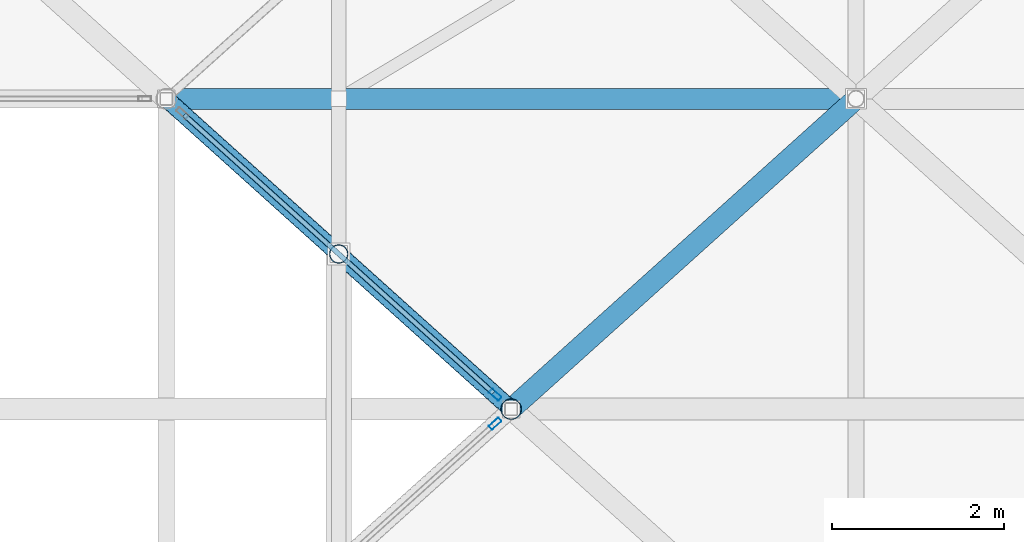
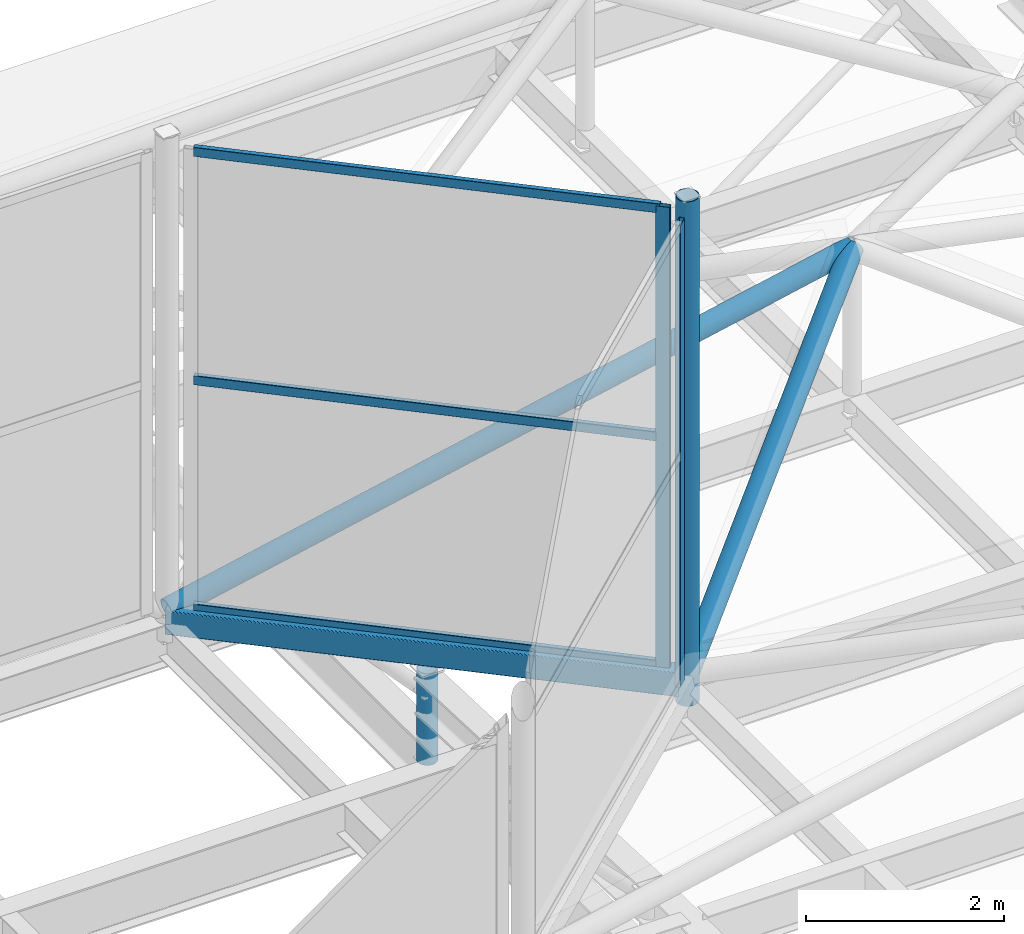
# One storey, part 127 of 239: 9 members, 1 beam, 2 elements without a shape of their own.
"""IFC4 building model written with IfcOpenShell, lengths in metres."""

import ifcopenshell
import ifcopenshell.guid

model = None  # the IFC model being written
_history = None  # IfcOwnerHistory: only IFC2X3 demands one
_inside = {}  # id of a spatial element -> (the spatial element, [elements in it])
_under = {}  # id of a project, library or spatial element -> (it, [spatial elements below it])
_declared = {}  # id of a project -> (the project, [libraries it declares])
_typed = {}  # id of a type object -> (the type object, [elements of that type])
_made_of = {}  # id of a material, layer set ... -> (it, [elements and type objects made of it])


def new_model(schema):
    """Start an empty IFC model of exactly this schema.

    Asked for "IFC4X3", IfcOpenShell would pick the latest addendum, in which some entities
    have other attributes; the version numbers below select the first issue.
    IFC2X3 requires an IfcOwnerHistory on every rooted entity: one is made here for all.
    """
    global model, _history
    if schema == "IFC4X3":
        model = ifcopenshell.file(schema_version=(4, 3, 0, 0))
    else:
        model = ifcopenshell.file(schema=schema)
    _inside.clear()
    _under.clear()
    _declared.clear()
    _typed.clear()
    _made_of.clear()
    _history = None
    if model.schema == "IFC2X3":
        org = make("IfcOrganization", Name="unknown")
        user = make(
            "IfcPersonAndOrganization",
            ThePerson=make("IfcPerson", FamilyName="unknown"),
            TheOrganization=org,
        )
        app = make(
            "IfcApplication",
            ApplicationDeveloper=org,
            Version="unknown",
            ApplicationFullName="unknown",
            ApplicationIdentifier="unknown",
        )
        _history = make(
            "IfcOwnerHistory",
            OwningUser=user,
            OwningApplication=app,
            ChangeAction="ADDED",
            CreationDate=0,
        )
    return model


def make(cls, **values):
    """One entity of the class cls with the attributes given. An attribute that is None is left unset."""
    return model.create_entity(
        cls, **{name: value for name, value in values.items() if value is not None}
    )


def rooted(cls, **values):
    """An entity with a GlobalId (a new one), such as an element, a storey or a relation."""
    return make(cls, GlobalId=ifcopenshell.guid.new(), OwnerHistory=_history, **values)


def si_unit(unit_type, name, prefix=None):
    """IfcSIUnit, for example si_unit("LENGTHUNIT", "METRE", prefix="MILLI")."""
    return make("IfcSIUnit", UnitType=unit_type, Prefix=prefix, Name=name)


def assignment(units):
    """IfcUnitAssignment: the units of a project."""
    return None if units is None else make("IfcUnitAssignment", Units=units)


def point(xyz):
    """IfcCartesianPoint."""
    return None if xyz is None else make("IfcCartesianPoint", Coordinates=xyz)


def direction(xyz):
    """IfcDirection."""
    return None if xyz is None else make("IfcDirection", DirectionRatios=xyz)


def frame(location, z_axis=None, x_axis=None):
    """IfcAxis2Placement3D, a coordinate frame: its origin and axes. An axis left out is left unset."""
    return make(
        "IfcAxis2Placement3D",
        Location=point(location),
        Axis=direction(z_axis),
        RefDirection=direction(x_axis),
    )


def frame_2d(location, x_axis=None):
    """IfcAxis2Placement2D, a coordinate frame in the plane: its origin and x axis."""
    return make(
        "IfcAxis2Placement2D", Location=point(location), RefDirection=direction(x_axis)
    )


def origin():
    """The frame at (0, 0, 0) with its axes left unset."""
    return frame((0.0, 0.0, 0.0))


def origin_2d():
    """The frame at (0, 0) in the plane with its x axis left unset."""
    return frame_2d((0.0, 0.0))


def place(relative_to, where):
    """IfcLocalPlacement: puts the frame where relative to a parent placement (None: the world)."""
    return make(
        "IfcLocalPlacement", PlacementRelTo=relative_to, RelativePlacement=where
    )


def context(
    kind, dimensions, precision=None, world=None, true_north=None, identifier=None
):
    """IfcGeometricRepresentationContext, for example the 3D "Model" context."""
    return make(
        "IfcGeometricRepresentationContext",
        ContextIdentifier=identifier,
        ContextType=kind,
        CoordinateSpaceDimension=dimensions,
        Precision=precision,
        WorldCoordinateSystem=world,
        TrueNorth=true_north,
    )


def subcontext(parent, identifier, kind, view, scale=None):
    """IfcGeometricRepresentationSubContext, for example "Body" below "Model"."""
    return make(
        "IfcGeometricRepresentationSubContext",
        ContextIdentifier=identifier,
        ContextType=kind,
        ParentContext=parent,
        TargetScale=scale,
        TargetView=view,
    )


def project(units=None, contexts=None):
    """IfcProject with its units and contexts."""
    return rooted(
        "IfcProject",
        Name="project",
        RepresentationContexts=contexts,
        UnitsInContext=assignment(units),
    )


def spatial(cls, under=None, at=None, **own):
    """A site, building, storey or space (cls), placed at a placement, below another one or the project."""
    s = rooted(cls, ObjectPlacement=at, **own)
    if under is not None:
        _under.setdefault(under.id(), (under, []))[1].append(s)
    return s


def profile(cls, at=None, kind="AREA", **sizes):
    """A parametric profile (cls). Its sizes go by their IFC names, for example OverallWidth=200.0."""
    return make(cls, ProfileType=kind, Position=at, **sizes)


def hollow_rectangle(**sizes):
    """IfcRectangleHollowProfileDef."""
    return profile("IfcRectangleHollowProfileDef", **sizes)


def hollow_circle(**sizes):
    """IfcCircleHollowProfileDef."""
    return profile("IfcCircleHollowProfileDef", **sizes)


def extrude(swept, where, along, depth):
    """IfcExtrudedAreaSolid: the profile swept, set in the frame where, extruded along a direction by depth."""
    return make(
        "IfcExtrudedAreaSolid",
        SweptArea=swept,
        Position=where,
        ExtrudedDirection=direction(along),
        Depth=depth,
    )


def shape(context_of_items, identifier, shape_type, items):
    """IfcShapeRepresentation: the items that make up one representation, for example the "Body"."""
    return make(
        "IfcShapeRepresentation",
        ContextOfItems=context_of_items,
        RepresentationIdentifier=identifier,
        RepresentationType=shape_type,
        Items=items,
    )


def material(Name=None, Category=None):
    """IfcMaterial."""
    return make("IfcMaterial", Name=Name, Category=Category)


def layer(
    of_material, thickness, ventilated=None, Name=None, Category=None, Priority=None
):
    """IfcMaterialLayer: one layer of a wall or slab, of a material (None: an air gap)."""
    return make(
        "IfcMaterialLayer",
        Material=of_material,
        LayerThickness=thickness,
        IsVentilated=ventilated,
        Name=Name,
        Category=Category,
        Priority=Priority,
    )


def layer_set(layers, Name=None):
    """IfcMaterialLayerSet."""
    return make("IfcMaterialLayerSet", MaterialLayers=layers, LayerSetName=Name)


def material_profile(
    of_material, cross_section, Name=None, Category=None, Priority=None
):
    """IfcMaterialProfile: a cross section and its material."""
    return make(
        "IfcMaterialProfile",
        Name=Name,
        Material=of_material,
        Profile=cross_section,
        Priority=Priority,
        Category=Category,
    )


def profile_set(profiles, Name=None, composite=None):
    """IfcMaterialProfileSet."""
    return make(
        "IfcMaterialProfileSet",
        Name=Name,
        MaterialProfiles=profiles,
        CompositeProfile=composite,
    )


def made_of(thing, what):
    """Note that an element or type object is made of a material, layer set ...; save() writes the relation."""
    if what is not None:
        _made_of.setdefault(what.id(), (what, []))[1].append(thing)
    return thing


def type_object(cls, material=None, **own):
    """A type object (cls), such as IfcWallType, which elements share."""
    return made_of(rooted(cls, **own), material)


def element(
    cls,
    number,
    at=None,
    inside=None,
    cuts=None,
    type_object=None,
    material=None,
    context=None,
    identifier="Body",
    shape_type=None,
    held_by="IfcProductDefinitionShape",
    body=None,
    shapes=None,
    **own,
):
    """One element of the class cls, such as IfcWall. Its Tag is "e" and its number.

    at: its placement. inside: the storey or other place that contains it. cuts: it is an
    opening in that element (IfcRelVoidsElement). A single representation is given by context,
    identifier, shape_type and body (its items); several are given by shapes. held_by: the class
    of the entity that holds the representations. save() writes the other relations.
    """
    e = rooted(cls, Tag="e%d" % number, ObjectPlacement=at, **own)
    if body is not None:
        shapes = [shape(context, identifier, shape_type, body)]
    if shapes is not None:
        e.Representation = make(held_by, Representations=shapes)
    if inside is not None:
        _inside.setdefault(inside.id(), (inside, []))[1].append(e)
    if cuts is not None:
        rooted(
            "IfcRelVoidsElement", RelatingBuildingElement=cuts, RelatedOpeningElement=e
        )
    if type_object is not None:
        _typed.setdefault(type_object.id(), (type_object, []))[1].append(e)
    return made_of(e, material)


def aggregate(whole, parts):
    """IfcRelAggregates: a whole, such as a stair, and the parts it consists of."""
    return rooted("IfcRelAggregates", RelatingObject=whole, RelatedObjects=parts)


def save(model, path):
    """Write the relations noted so far, then the file.

    IfcRelAggregates (storeys below a building ...), IfcRelContainedInSpatialStructure (elements
    in a storey), IfcRelDefinesByType, IfcRelAssociatesMaterial and IfcRelDeclares: one each for
    every whole, place, type object, material and project.
    """
    for whole, parts in _under.values():
        aggregate(whole, parts)
    for where, things in _inside.values():
        rooted(
            "IfcRelContainedInSpatialStructure",
            RelatedElements=things,
            RelatingStructure=where,
        )
    for kind, things in _typed.values():
        rooted("IfcRelDefinesByType", RelatedObjects=things, RelatingType=kind)
    for what, things in _made_of.values():
        rooted("IfcRelAssociatesMaterial", RelatedObjects=things, RelatingMaterial=what)
    for by, libraries in _declared.values():
        rooted("IfcRelDeclares", RelatingContext=by, RelatedDefinitions=libraries)
    model.write(path)


model = new_model("IFC4")

# Units and contexts
model_context = context("Model", 3, precision=1e-05, world=origin(), true_north=direction((0.0, 1.0)))
body_context = subcontext(model_context, "Body", "Model", "MODEL_VIEW")
ifc_project = project(units=[si_unit("LENGTHUNIT", "METRE"), si_unit("AREAUNIT", "SQUARE_METRE"), si_unit("VOLUMEUNIT", "CUBIC_METRE"), si_unit("PLANEANGLEUNIT", "RADIAN"), si_unit("MASSUNIT", "GRAM", prefix="KILO")], contexts=[model_context])

# Site, building, storey
site_placement = place(None, origin())
site = spatial("IfcSite", under=ifc_project, at=site_placement, CompositionType="ELEMENT")
building_placement = place(site_placement, origin())
building = spatial("IfcBuilding", under=site, at=building_placement, Name="Dunvalen Ferry Terminal", CompositionType="ELEMENT")
storey_placement = place(building_placement, frame((0.0, 0.0, 9.840087890625)))
storey = spatial("IfcBuildingStorey", under=building, at=storey_placement, Name="L02", CompositionType="ELEMENT", Elevation=9.840087890625)

# Curtain wall, member
ifc_material_1 = material(Name="Anodised marine aluminium and solar-control glazing", Category="aluminium")
ifc_layer_1 = layer(ifc_material_1, 0.179931640625, Name="Anodised marine aluminium and solar-control glazing")
ifc_layer_set_1 = layer_set([ifc_layer_1], Name="Anodised marine aluminium and solar-control glazing")
curtain_wall_type_1 = type_object("IfcCurtainWallType", Name="ENV-CW-SYS-05", PredefinedType="NOTDEFINED", material=ifc_layer_set_1)
curtain_wall_1_placement = place(storey_placement, origin())
curtain_wall_1 = element("IfcCurtainWall", 1, at=curtain_wall_1_placement, inside=storey, type_object=curtain_wall_type_1, Name="L02 Curtain Wall CW-HEX-32-SK-3", PredefinedType="NOTDEFINED")
ifc_material_2 = material(Name="Anodised marine aluminium EN AW-6063 T6", Category="aluminium")
ifc_material_profile_1 = material_profile(ifc_material_2, hollow_rectangle(XDim=0.06005859375, YDim=0.14990234375, WallThickness=0.00341796875, InnerFilletRadius=0.00341796875, OuterFilletRadius=0.007080078125, at=origin_2d()), Name="Anodised marine aluminium EN AW-6063 T6")
ifc_profile_set_1 = profile_set([ifc_material_profile_1], Name="Anodised marine aluminium EN AW-6063 T6")
member_type_1 = type_object("IfcMemberType", Name="ENV-CW-MUL-3", PredefinedType="MULLION", material=ifc_profile_set_1)
member_1_placement = place(storey_placement, frame((73.814208984375, 75.4326171875, 1.139892578125), z_axis=(0.0, 0.0, 1.0), x_axis=(-0.668953550894, 0.74330420875, 0.0)))
member_1 = element("IfcMember", 2, at=member_1_placement, type_object=member_type_1, Name="CW-05 mullion 2", PredefinedType="MULLION", context=body_context, shape_type="SweptSolid", body=[
    extrude(hollow_rectangle(XDim=0.06005859375, YDim=0.14990234375, WallThickness=0.00341796875, InnerFilletRadius=0.00341796875, OuterFilletRadius=0.007080078125, at=origin_2d()), origin(), (0.0, 0.0, 1.0), 5.699951171875),
])
aggregate(curtain_wall_1, [member_1])

# Curtain wall, members
ifc_layer_2 = layer(ifc_material_1, 0.179931640625, Name="Anodised marine aluminium and solar-control glazing")
ifc_layer_set_2 = layer_set([ifc_layer_2], Name="Anodised marine aluminium and solar-control glazing")
curtain_wall_type_2 = type_object("IfcCurtainWallType", Name="ENV-CW-SYS-06", PredefinedType="NOTDEFINED", material=ifc_layer_set_2)
curtain_wall_2_placement = place(storey_placement, origin())
curtain_wall_2 = element("IfcCurtainWall", 3, at=curtain_wall_2_placement, inside=storey, type_object=curtain_wall_type_2, Name="L02 Curtain Wall CW-HEX-32-SK-4", PredefinedType="NOTDEFINED")
member_2_placement = place(storey_placement, frame((73.814208984375, 75.767333984375, 1.139892578125), z_axis=(0.0, 0.0, 1.0), x_axis=(-0.668953550894, -0.74330420875, 0.0)))
member_2 = element("IfcMember", 4, at=member_2_placement, type_object=member_type_1, Name="CW-06 mullion 1", PredefinedType="MULLION", context=body_context, shape_type="SweptSolid", body=[
    extrude(hollow_rectangle(XDim=0.06005859375, YDim=0.14990234375, WallThickness=0.00341796875, InnerFilletRadius=0.00341796875, OuterFilletRadius=0.007080078125, at=origin_2d()), origin(), (0.0, 0.0, 1.0), 5.699951171875),
])
ifc_material_profile_2 = material_profile(ifc_material_2, hollow_rectangle(XDim=0.06005859375, YDim=0.114990234375, WallThickness=0.0029296875, InnerFilletRadius=0.0029296875, OuterFilletRadius=0.006103515625, at=origin_2d()), Name="Anodised marine aluminium EN AW-6063 T6")
ifc_profile_set_2 = profile_set([ifc_material_profile_2], Name="Anodised marine aluminium EN AW-6063 T6")
member_type_2 = type_object("IfcMemberType", Name="ENV-CW-TRN-3", PredefinedType="USERDEFINED", material=ifc_profile_set_2)
member_3_placement = place(storey_placement, frame((73.7919921875, 75.787353515625, 1.169921875), z_axis=(-0.743319323261, 0.668936756104, 0.0), x_axis=(-0.668936756104, -0.743319323261, 0.0)))
member_3 = element("IfcMember", 5, at=member_3_placement, type_object=member_type_2, Name="CW-06 transom 1.1", ObjectType="TRANSOM", PredefinedType="USERDEFINED", context=body_context, shape_type="SweptSolid", body=[
    extrude(hollow_rectangle(XDim=0.06005859375, YDim=0.114990234375, WallThickness=0.0029296875, InnerFilletRadius=0.0029296875, OuterFilletRadius=0.006103515625, at=origin_2d()), origin(), (0.0, 0.0, 1.0), 4.821533203125),
])
member_4_placement = place(storey_placement, frame((73.7919921875, 75.787353515625, 3.989990234375), z_axis=(-0.743319323261, 0.668936756104, 0.0), x_axis=(-0.668936756104, -0.743319323261, 0.0)))
member_4 = element("IfcMember", 6, at=member_4_placement, type_object=member_type_2, Name="CW-06 transom 1.2", ObjectType="TRANSOM", PredefinedType="USERDEFINED", context=body_context, shape_type="SweptSolid", body=[
    extrude(hollow_rectangle(XDim=0.06005859375, YDim=0.114990234375, WallThickness=0.0029296875, InnerFilletRadius=0.0029296875, OuterFilletRadius=0.006103515625, at=origin_2d()), origin(), (0.0, 0.0, 1.0), 4.821533203125),
])
member_5_placement = place(storey_placement, frame((73.7919921875, 75.787353515625, 6.809814453125), z_axis=(-0.743319323261, 0.668936756104, 0.0), x_axis=(-0.668936756104, -0.743319323261, 0.0)))
member_5 = element("IfcMember", 7, at=member_5_placement, type_object=member_type_2, Name="CW-06 transom 1.3", ObjectType="TRANSOM", PredefinedType="USERDEFINED", context=body_context, shape_type="SweptSolid", body=[
    extrude(hollow_rectangle(XDim=0.06005859375, YDim=0.114990234375, WallThickness=0.0029296875, InnerFilletRadius=0.0029296875, OuterFilletRadius=0.006103515625, at=origin_2d()), origin(), (0.0, 0.0, 1.0), 4.821533203125),
])
aggregate(curtain_wall_2, [member_2, member_3, member_4, member_5])

# Beam
ifc_material_3 = material(Name="Steel S355", Category="steel")
ifc_material_profile_3 = material_profile(ifc_material_3, hollow_rectangle(XDim=0.199951171875, YDim=0.300048828125, WallThickness=0.010009765625, InnerFilletRadius=0.010009765625, OuterFilletRadius=0.02001953125, at=origin_2d()), Name="Steel S355")
ifc_profile_set_3 = profile_set([ifc_material_profile_3], Name="Steel S355")
beam_type = type_object("IfcBeamType", Name="STR-BM-RHS300", PredefinedType="BEAM", material=ifc_profile_set_3)
beam_placement = place(storey_placement, frame((74.0, 75.60009765625, 1.0), z_axis=(-0.74330768127, 0.668949692402, 0.0), x_axis=(-0.668949692402, -0.74330768127, 0.0)))
element("IfcBeam", 8, at=beam_placement, inside=storey, type_object=beam_type, Name="HEX-32 Lantern Curb Ring Beam 4", PredefinedType="BEAM", context=body_context, shape_type="SweptSolid", body=[
    extrude(hollow_rectangle(XDim=0.199951171875, YDim=0.300048828125, WallThickness=0.010009765625, InnerFilletRadius=0.010009765625, OuterFilletRadius=0.02001953125, at=origin_2d()), origin(), (0.0, 0.0, 1.0), 5.38134765625),
])

# Members
ifc_material_profile_4 = material_profile(ifc_material_3, hollow_circle(Radius=0.109619140625, WallThickness=0.010009765625, at=origin_2d()), Name="Steel S355")
ifc_profile_set_4 = profile_set([ifc_material_profile_4], Name="Steel S355")
member_type_3 = type_object("IfcMemberType", Name="STR-MB-CHS219", PredefinedType="STRUT", material=ifc_profile_set_4)
member_6_placement = place(storey_placement, frame((72.0, 77.39990234375, -0.360107421875), z_axis=(0.0, 0.0, 1.0), x_axis=(1.0, 0.0, 0.0)))
element("IfcMember", 9, at=member_6_placement, inside=storey, type_object=member_type_3, Name="Departure Hall Arch Spandrel Strut 06.6", PredefinedType="STRUT", context=body_context, shape_type="SweptSolid", body=[
    extrude(hollow_circle(Radius=0.109619140625, WallThickness=0.010009765625, at=origin_2d()), origin(), (0.0, 0.0, 1.0), 1.130126953125),
])
ifc_material_profile_5 = material_profile(ifc_material_3, hollow_circle(Radius=0.122314453125, WallThickness=0.010009765625, at=origin_2d()), Name="Steel S355")
ifc_profile_set_5 = profile_set([ifc_material_profile_5], Name="Steel S355")
member_type_4 = type_object("IfcMemberType", Name="STR-MB-CHS244", PredefinedType="STRUT", material=ifc_profile_set_5)
member_7_placement = place(storey_placement, frame((74.0, 75.60009765625, 0.77001953125), z_axis=(0.0, 0.0, 1.0), x_axis=(1.0, 0.0, 0.0)))
element("IfcMember", 10, at=member_7_placement, inside=storey, type_object=member_type_4, Name="HEX-32 Skylight Lantern Corner Strut 4", PredefinedType="STRUT", context=body_context, shape_type="SweptSolid", body=[
    extrude(hollow_circle(Radius=0.122314453125, WallThickness=0.010009765625, at=origin_2d()), origin(), (0.0, 0.0, 1.0), 6.22998046875),
])
member_8_placement = place(storey_placement, frame((70.0, 79.199951171875, 1.099853515625), z_axis=(0.979020171275, 0.0, 0.203763353518), x_axis=(0.0, 1.0, 0.0)))
element("IfcMember", 11, at=member_8_placement, inside=storey, type_object=member_type_4, Name="HEX-38 Pyramid Hip Rafter 1", PredefinedType="STRUT", context=body_context, shape_type="SweptSolid", body=[
    extrude(hollow_circle(Radius=0.122314453125, WallThickness=0.010009765625, at=origin_2d()), origin(), (0.0, 0.0, 1.0), 8.17138671875),
])
member_9_placement = place(storey_placement, frame((74.0, 75.60009765625, 1.099853515625), z_axis=(0.710094348105, 0.639058908863, 0.295583706914), x_axis=(-0.668949692402, 0.74330768127, 0.0)))
element("IfcMember", 12, at=member_9_placement, inside=storey, type_object=member_type_4, Name="HEX-38 Pyramid Hip Rafter 2", PredefinedType="STRUT", context=body_context, shape_type="SweptSolid", body=[
    extrude(hollow_circle(Radius=0.122314453125, WallThickness=0.010009765625, at=origin_2d()), origin(), (0.0, 0.0, 1.0), 5.633056640625),
])

save(model, "model.ifc")
